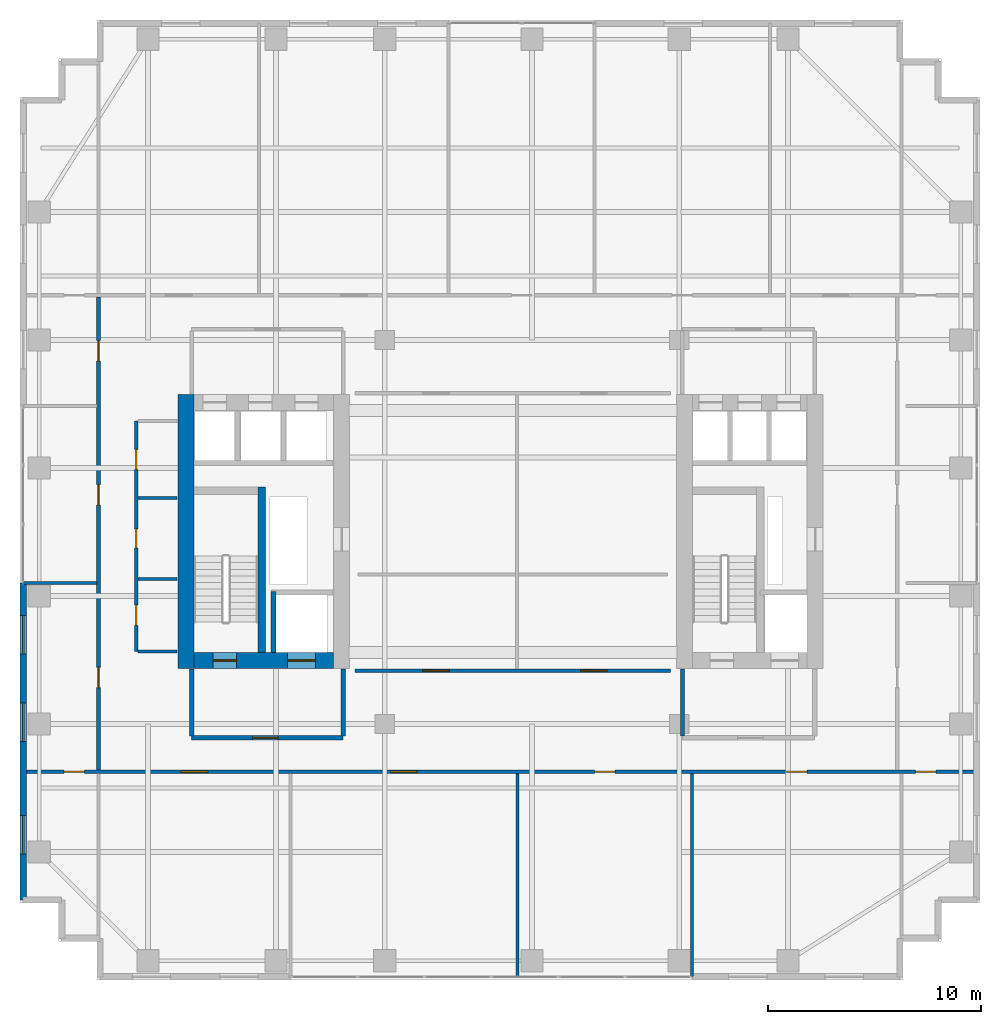
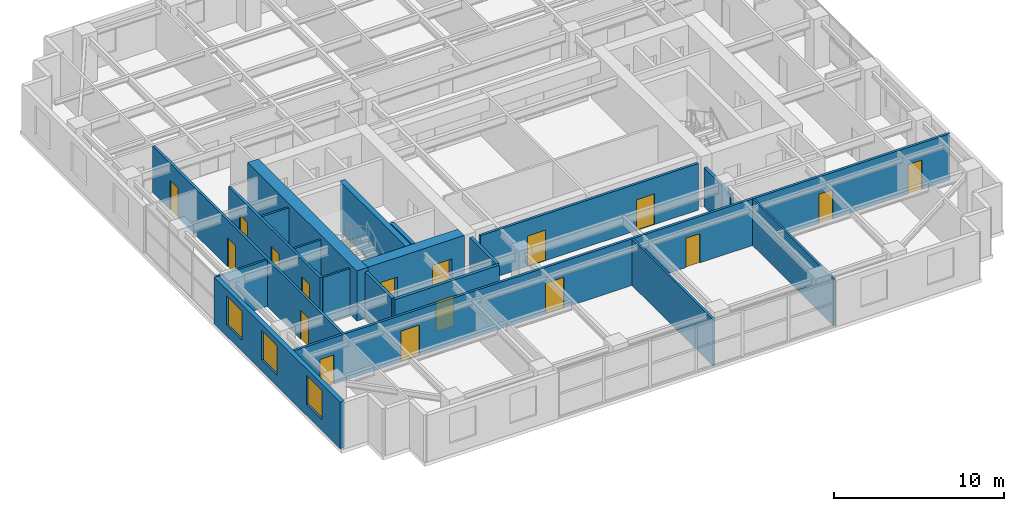
# One storey, part 14 of 18: 19 walls, 17 doors, 3 windows, 20 openings.
"""IFC4 building model written with IfcOpenShell, lengths in metres."""

from ifc_helpers import new_model, si_unit, direction, frame, frame_2d, origin, place, context, subcontext, project, spatial, rectangle, extrude, source, transform, mapped, material, layer, layer_set, type_object, element, fill, save


model = new_model("IFC4")

# Units and contexts
model_context = context("Model", 3, precision=1e-05, world=origin(), true_north=direction((0.0, 1.0)))
body_context = subcontext(model_context, "Body", "Model", "MODEL_VIEW")
ifc_project = project(units=[si_unit("LENGTHUNIT", "METRE"), si_unit("AREAUNIT", "SQUARE_METRE"), si_unit("VOLUMEUNIT", "CUBIC_METRE"), si_unit("PLANEANGLEUNIT", "RADIAN"), si_unit("MASSUNIT", "GRAM", prefix="KILO")], contexts=[model_context])

# Site, building, storey
site_placement = place(None, origin())
site = spatial("IfcSite", under=ifc_project, at=site_placement, CompositionType="ELEMENT")
building_placement = place(site_placement, origin())
building = spatial("IfcBuilding", under=site, at=building_placement, Name="Khoralis Quay Care Tower", CompositionType="ELEMENT")
storey_placement = place(building_placement, frame((0.0, 0.0, 130.5)))
storey = spatial("IfcBuildingStorey", under=building, at=storey_placement, Name="L34", CompositionType="ELEMENT", Elevation=130.5)

# Wall, opening, door
ifc_material_1 = material(Name="Gypsum plasterboard on acoustic metal stud")
ifc_layer_1 = layer(ifc_material_1, 0.199951171875)
ifc_layer_set_1 = layer_set([ifc_layer_1], Name="Gypsum plasterboard on acoustic metal stud")
wall_type_1 = type_object("IfcWallType", Name="WL-COMP-200", PredefinedType="PARTITIONING", material=ifc_layer_set_1)
wall_1_placement = place(storey_placement, frame((8.050048828125, 11.35009765625, 0.0), z_axis=(0.0, 0.0, 1.0), x_axis=(1.0, 0.0, 0.0)))
wall_1 = element("IfcWall", 1, at=wall_1_placement, inside=storey, type_object=wall_type_1, Name="L34 West Firefighting Lobby South Wall", PredefinedType="PARTITIONING", context=body_context, shape_type="SweptSolid", body=[
    extrude(rectangle(XDim=7.099853515625, YDim=0.199951171875, at=frame_2d((3.5498046875, 0.0))), origin(), (0.0, 0.0, 1.0), 3.340087890625),
])
opening_1_placement = place(wall_1_placement, frame((2.846435546875, 0.0, 0.0)))
opening_1 = element("IfcOpeningElement", 2, at=opening_1_placement, cuts=wall_1, Name="Opening FD1", PredefinedType="OPENING", context=body_context, shape_type="SweptSolid", body=[
    extrude(rectangle(XDim=1.199951171875, YDim=2.199951171875, at=frame_2d((0.60009765625, 1.10009765625))), frame((0.0, 0.10986328125, 0.0), z_axis=(0.0, -1.0, 0.0), x_axis=(1.0, 0.0, 0.0)), (0.0, 0.0, 1.0), 0.219970703125),
])
ifc_material_2 = material(Name="Fire-rated painted steel", Category="steel")
door_type_1 = type_object("IfcDoorType", Name="DR-FFL-1200X2200", OperationType="NOTDEFINED", PredefinedType="DOOR", material=ifc_material_2)
shared_shape_1 = source(origin(), body_context, "Body", "SweptSolid", [
    extrude(rectangle(XDim=1.199951171875, YDim=2.199951171875, at=frame_2d((0.60009765625, 1.10009765625))), frame((0.0, 0.02490234375, 0.0), z_axis=(0.0, -1.0, 0.0), x_axis=(1.0, 0.0, 0.0)), (0.0, 0.0, 1.0), 0.050048828125),
])
door_1_placement = place(opening_1_placement, origin())
door_1 = element("IfcDoor", 3, at=door_1_placement, inside=storey, type_object=door_type_1, Name="L34 West Firefighting Lobby Fire Door", OperationType="SINGLE_SWING_RIGHT", OverallHeight=2.199951171875, OverallWidth=1.199951171875, PredefinedType="DOOR", context=body_context, shape_type="MappedRepresentation", body=[
    mapped(shared_shape_1, transform((0.0, 0.0, 0.0), scale=1.0)),
])
fill(opening_1, door_1)

# Walls
for number, where, z_axis, x_axis, name in (
    (4, (8.050048828125, 11.445068359375, 0.0), (0.0, 0.0, 1.0), (0.0, 1.0, 0.0), "L34 West Firefighting Lobby West Wall"),
    (5, (15.14990234375, 11.445068359375, 0.0), (0.0, 0.0, 1.0), (0.0, 1.0, 0.0), "L34 West Firefighting Lobby East Wall"),
):
    element("IfcWall", number, at=place(storey_placement, frame(where, z_axis=z_axis, x_axis=x_axis)), inside=storey, type_object=wall_type_1, Name=name, PredefinedType="PARTITIONING", context=body_context, shape_type="SweptSolid", body=[
        extrude(rectangle(XDim=3.135009765625, YDim=0.199951171875, at=frame_2d((1.5673828125, 0.0))), origin(), (0.0, 0.0, 1.0), 3.340087890625),
    ])
wall_2_placement = place(storey_placement, frame((31.050048828125, 11.445068359375, 0.0), z_axis=(0.0, 0.0, 1.0), x_axis=(0.0, 1.0, 0.0)))
element("IfcWall", 6, at=wall_2_placement, inside=storey, type_object=wall_type_1, Name="L34 East Firefighting Lobby West Wall", PredefinedType="PARTITIONING", context=body_context, shape_type="SweptSolid", body=[
    extrude(rectangle(XDim=3.135009765625, YDim=0.199951171875, at=frame_2d((1.5673828125, 0.0))), origin(), (0.0, 0.0, 1.0), 2.7958984375),
])
ifc_material_3 = material(Name="Concrete C80/95", Category="concrete")
ifc_layer_2 = layer(ifc_material_3, 0.75)
ifc_layer_set_2 = layer_set([ifc_layer_2], Name="Concrete C80/95")
wall_type_2 = type_object("IfcWallType", Name="WL-CORE-750", PredefinedType="SHEAR", material=ifc_layer_set_2)
wall_3_placement = place(storey_placement, frame((7.77490234375, 14.60009765625, 0.0), z_axis=(0.0, 0.0, 1.0), x_axis=(0.0, 1.0, 0.0)))
element("IfcWall", 7, at=wall_3_placement, inside=storey, type_object=wall_type_2, Name="L34 WCORE West Shear Wall", PredefinedType="SHEAR", context=body_context, shape_type="SweptSolid", body=[
    extrude(rectangle(XDim=12.849853515625, YDim=0.75, at=frame_2d((6.4248046875, 0.0))), origin(), (0.0, 0.0, 1.0), 3.60009765625),
])

# Wall, openings, doors
wall_4_placement = place(storey_placement, frame((8.14990234375, 14.97509765625, 0.0), z_axis=(0.0, 0.0, 1.0), x_axis=(1.0, 0.0, 0.0)))
wall_4 = element("IfcWall", 8, at=wall_4_placement, inside=storey, type_object=wall_type_2, Name="L34 WCORE South Shear Wall", PredefinedType="SHEAR", context=body_context, shape_type="SweptSolid", body=[
    extrude(rectangle(XDim=6.550048828125, YDim=0.75, at=frame_2d((3.27490234375, 0.0))), origin(), (0.0, 0.0, 1.0), 3.60009765625),
])
opening_2_placement = place(wall_4_placement, frame((0.89990234375, 0.0, 0.0)))
opening_2 = element("IfcOpeningElement", 9, at=opening_2_placement, cuts=wall_4, Name="Opening SD1", PredefinedType="OPENING", context=body_context, shape_type="SweptSolid", body=[
    extrude(rectangle(XDim=1.10009765625, YDim=2.199951171875, at=frame_2d((0.550048828125, 1.10009765625))), frame((0.0, 0.385009765625, 0.0), z_axis=(0.0, -1.0, 0.0), x_axis=(1.0, 0.0, 0.0)), (0.0, 0.0, 1.0), 0.77001953125),
])
opening_3_placement = place(wall_4_placement, frame((4.39990234375, 0.0, 0.0)))
opening_3 = element("IfcOpeningElement", 10, at=opening_3_placement, cuts=wall_4, Name="Opening LD2", PredefinedType="OPENING", context=body_context, shape_type="SweptSolid", body=[
    extrude(rectangle(XDim=1.300048828125, YDim=2.199951171875, at=frame_2d((0.64990234375, 1.10009765625))), frame((0.0, 0.385009765625, 0.0), z_axis=(0.0, -1.0, 0.0), x_axis=(1.0, 0.0, 0.0)), (0.0, 0.0, 1.0), 0.77001953125),
])
door_type_2 = type_object("IfcDoorType", Name="DR-STAIR-1100X2200", OperationType="NOTDEFINED", PredefinedType="DOOR", material=ifc_material_2)
shared_shape_2 = source(origin(), body_context, "Body", "SweptSolid", [
    extrude(rectangle(XDim=1.10009765625, YDim=2.199951171875, at=frame_2d((0.550048828125, 1.10009765625))), frame((0.0, 0.02490234375, 0.0), z_axis=(0.0, -1.0, 0.0), x_axis=(1.0, 0.0, 0.0)), (0.0, 0.0, 1.0), 0.050048828125),
])
door_2_placement = place(opening_2_placement, origin())
door_2 = element("IfcDoor", 11, at=door_2_placement, inside=storey, type_object=door_type_2, Name="L34 Stair ST-T1 Fire Door", OperationType="SINGLE_SWING_RIGHT", OverallHeight=2.199951171875, OverallWidth=1.10009765625, PredefinedType="DOOR", context=body_context, shape_type="MappedRepresentation", body=[
    mapped(shared_shape_2, transform((0.0, 0.0, 0.0), scale=1.0)),
])
fill(opening_2, door_2)
ifc_material_4 = material(Name="Brushed stainless steel", Category="steel")
door_type_3 = type_object("IfcDoorType", Name="DR-LIFT-1300X2200", OperationType="SLIDING_TO_RIGHT", PredefinedType="DOOR", material=ifc_material_4)
shared_shape_3 = source(origin(), body_context, "Body", "SweptSolid", [
    extrude(rectangle(XDim=1.300048828125, YDim=2.199951171875, at=frame_2d((0.64990234375, 1.10009765625))), frame((0.0, 0.02490234375, 0.0), z_axis=(0.0, -1.0, 0.0), x_axis=(1.0, 0.0, 0.0)), (0.0, 0.0, 1.0), 0.050048828125),
])
door_3_placement = place(opening_3_placement, origin())
door_3 = element("IfcDoor", 12, at=door_3_placement, inside=storey, type_object=door_type_3, Name="L34 Firefighting Lift FFL-1 Landing Door", OperationType="SLIDING_TO_RIGHT", OverallHeight=2.199951171875, OverallWidth=1.300048828125, PredefinedType="DOOR", context=body_context, shape_type="MappedRepresentation", body=[
    mapped(shared_shape_3, transform((0.0, 0.0, 0.0), scale=1.0)),
])
fill(opening_3, door_3)

ifc_layer_3 = layer(ifc_material_1, 0.1650390625)
ifc_layer_set_3 = layer_set([ifc_layer_3], Name="Gypsum plasterboard on acoustic metal stud")
wall_type_3 = type_object("IfcWallType", Name="WL-CORR-165", PredefinedType="PARTITIONING", material=ifc_layer_set_3)
wall_5_placement = place(storey_placement, frame((5.449951171875, 15.39990234375, 0.0), z_axis=(0.0, 0.0, 1.0), x_axis=(0.0, 1.0, 0.0)))
wall_5 = element("IfcWall", 13, at=wall_5_placement, inside=storey, type_object=wall_type_3, Name="L34 West Core Service Flank Wall", PredefinedType="PARTITIONING", context=body_context, shape_type="SweptSolid", body=[
    extrude(rectangle(XDim=10.800048828125, YDim=0.1650390625, at=frame_2d((5.39990234375, 0.0))), origin(), (0.0, 0.0, 1.0), 3.340087890625),
])
opening_4_placement = place(wall_5_placement, frame((1.22509765625, 0.0, 0.0)))
opening_4 = element("IfcOpeningElement", 14, at=opening_4_placement, cuts=wall_5, Name="Opening ID1", PredefinedType="OPENING", context=body_context, shape_type="SweptSolid", body=[
    extrude(rectangle(XDim=0.949951171875, YDim=2.10009765625, at=frame_2d((0.47509765625, 1.050048828125))), frame((0.0, 0.092529296875, 0.0), z_axis=(0.0, -1.0, 0.0), x_axis=(1.0, 0.0, 0.0)), (0.0, 0.0, 1.0), 0.18505859375),
])
opening_5_placement = place(wall_5_placement, frame((4.85009765625, 0.0, 0.0)))
opening_5 = element("IfcOpeningElement", 15, at=opening_5_placement, cuts=wall_5, Name="Opening WD1", PredefinedType="OPENING", context=body_context, shape_type="SweptSolid", body=[
    extrude(rectangle(XDim=0.89990234375, YDim=2.10009765625, at=frame_2d((0.449951171875, 1.050048828125))), frame((0.0, 0.092529296875, 0.0), z_axis=(0.0, -1.0, 0.0), x_axis=(1.0, 0.0, 0.0)), (0.0, 0.0, 1.0), 0.18505859375),
])
opening_6_placement = place(wall_5_placement, frame((8.52490234375, 0.0, 0.0)))
opening_6 = element("IfcOpeningElement", 16, at=opening_6_placement, cuts=wall_5, Name="Opening ID1", PredefinedType="OPENING", context=body_context, shape_type="SweptSolid", body=[
    extrude(rectangle(XDim=0.949951171875, YDim=2.10009765625, at=frame_2d((0.47509765625, 1.050048828125))), frame((0.0, 0.092529296875, 0.0), z_axis=(0.0, -1.0, 0.0), x_axis=(1.0, 0.0, 0.0)), (0.0, 0.0, 1.0), 0.18505859375),
])
ifc_material_5 = material(Name="Acoustic hardwood timber", Category="wood")
door_type_4 = type_object("IfcDoorType", Name="DR-BATH-900X2100", OperationType="NOTDEFINED", PredefinedType="DOOR", material=ifc_material_5)
shared_shape_4 = source(origin(), body_context, "Body", "SweptSolid", [
    extrude(rectangle(XDim=0.89990234375, YDim=2.10009765625, at=frame_2d((0.449951171875, 1.050048828125))), frame((0.0, 0.02490234375, 0.0), z_axis=(0.0, -1.0, 0.0), x_axis=(1.0, 0.0, 0.0)), (0.0, 0.0, 1.0), 0.050048828125),
])
door_4_placement = place(opening_5_placement, frame((0.89990234375, 0.0, 0.0), z_axis=(0.0, 0.0, 1.0), x_axis=(-1.0, 0.0, 0.0)))
door_4 = element("IfcDoor", 17, at=door_4_placement, inside=storey, type_object=door_type_4, Name="L34 Public Accessible WC Door", OperationType="SINGLE_SWING_RIGHT", OverallHeight=2.10009765625, OverallWidth=0.89990234375, PredefinedType="DOOR", context=body_context, shape_type="MappedRepresentation", body=[
    mapped(shared_shape_4, transform((0.0, 0.0, 0.0), scale=1.0)),
])
fill(opening_5, door_4)
door_type_5 = type_object("IfcDoorType", Name="DR-ROOM-950X2100", OperationType="NOTDEFINED", PredefinedType="DOOR", material=ifc_material_5)
shared_shape_5 = source(origin(), body_context, "Body", "SweptSolid", [
    extrude(rectangle(XDim=0.949951171875, YDim=2.10009765625, at=frame_2d((0.47509765625, 1.050048828125))), frame((0.0, 0.02490234375, 0.0), z_axis=(0.0, -1.0, 0.0), x_axis=(1.0, 0.0, 0.0)), (0.0, 0.0, 1.0), 0.050048828125),
])
door_5_placement = place(opening_4_placement, frame((0.949951171875, 0.0, 0.0), z_axis=(0.0, 0.0, 1.0), x_axis=(-1.0, 0.0, 0.0)))
door_5 = element("IfcDoor", 18, at=door_5_placement, inside=storey, type_object=door_type_5, Name="L34 Clean Utility Store Door", OperationType="SINGLE_SWING_LEFT", OverallHeight=2.10009765625, OverallWidth=0.949951171875, PredefinedType="DOOR", context=body_context, shape_type="MappedRepresentation", body=[
    mapped(shared_shape_5, transform((0.0, 0.0, 0.0), scale=1.0)),
])
fill(opening_4, door_5)
door_6_placement = place(opening_6_placement, frame((0.949951171875, 0.0, 0.0), z_axis=(0.0, 0.0, 1.0), x_axis=(-1.0, 0.0, 0.0)))
door_6 = element("IfcDoor", 19, at=door_6_placement, inside=storey, type_object=door_type_5, Name="L34 Electrical Switchboard Room Door", OperationType="SINGLE_SWING_LEFT", OverallHeight=2.10009765625, OverallWidth=0.949951171875, PredefinedType="DOOR", context=body_context, shape_type="MappedRepresentation", body=[
    mapped(shared_shape_5, transform((0.0, 0.0, 0.0), scale=1.0)),
])
fill(opening_6, door_6)

wall_6_placement = place(storey_placement, frame((0.14501953125, 9.760009765625, 0.0), z_axis=(0.0, 0.0, 1.0), x_axis=(1.0, 0.0, 0.0)))
wall_6 = element("IfcWall", 20, at=wall_6_placement, inside=storey, type_object=wall_type_3, Name="L34 South Main Corridor Wall", PredefinedType="PARTITIONING", context=body_context, shape_type="SweptSolid", body=[
    extrude(rectangle(XDim=44.7099609375, YDim=0.1650390625, at=frame_2d((22.35498046875, 0.0))), origin(), (0.0, 0.0, 1.0), 3.340087890625),
])
opening_7_placement = place(wall_6_placement, frame((7.409912109375, 0.0, 0.0)))
opening_7 = element("IfcOpeningElement", 21, at=opening_7_placement, cuts=wall_6, Name="Opening CD1", PredefinedType="OPENING", context=body_context, shape_type="SweptSolid", body=[
    extrude(rectangle(XDim=1.25, YDim=2.199951171875, at=frame_2d((0.625, 1.10009765625))), frame((0.0, 0.092529296875, 0.0), z_axis=(0.0, -1.0, 0.0), x_axis=(1.0, 0.0, 0.0)), (0.0, 0.0, 1.0), 0.18505859375),
])
opening_8_placement = place(wall_6_placement, frame((17.22509765625, 0.0, 0.0)))
opening_8 = element("IfcOpeningElement", 22, at=opening_8_placement, cuts=wall_6, Name="Opening CD1", PredefinedType="OPENING", context=body_context, shape_type="SweptSolid", body=[
    extrude(rectangle(XDim=1.25, YDim=2.199951171875, at=frame_2d((0.625, 1.10009765625))), frame((0.0, 0.092529296875, 0.0), z_axis=(0.0, -1.0, 0.0), x_axis=(1.0, 0.0, 0.0)), (0.0, 0.0, 1.0), 0.18505859375),
])
opening_9_placement = place(wall_6_placement, frame((26.784912109375, 0.0, 0.0)))
opening_9 = element("IfcOpeningElement", 23, at=opening_9_placement, cuts=wall_6, Name="Opening ID1", PredefinedType="OPENING", context=body_context, shape_type="SweptSolid", body=[
    extrude(rectangle(XDim=0.949951171875, YDim=2.10009765625, at=frame_2d((0.47509765625, 1.050048828125))), frame((0.0, 0.092529296875, 0.0), z_axis=(0.0, -1.0, 0.0), x_axis=(1.0, 0.0, 0.0)), (0.0, 0.0, 1.0), 0.18505859375),
])
opening_10_placement = place(wall_6_placement, frame((35.7900390625, 0.0, 0.0)))
opening_10 = element("IfcOpeningElement", 24, at=opening_10_placement, cuts=wall_6, Name="Opening ID1", PredefinedType="OPENING", context=body_context, shape_type="SweptSolid", body=[
    extrude(rectangle(XDim=0.949951171875, YDim=2.10009765625, at=frame_2d((0.47509765625, 1.050048828125))), frame((0.0, 0.092529296875, 0.0), z_axis=(0.0, -1.0, 0.0), x_axis=(1.0, 0.0, 0.0)), (0.0, 0.0, 1.0), 0.18505859375),
])
opening_11_placement = place(wall_6_placement, frame((1.919921875, 0.0, 0.0)))
opening_11 = element("IfcOpeningElement", 25, at=opening_11_placement, cuts=wall_6, Name="Opening ID1", PredefinedType="OPENING", context=body_context, shape_type="SweptSolid", body=[
    extrude(rectangle(XDim=0.949951171875, YDim=2.10009765625, at=frame_2d((0.47509765625, 1.050048828125))), frame((0.0, 0.092529296875, 0.0), z_axis=(0.0, -1.0, 0.0), x_axis=(1.0, 0.0, 0.0)), (0.0, 0.0, 1.0), 0.18505859375),
])
opening_12_placement = place(wall_6_placement, frame((41.840087890625, 0.0, 0.0)))
opening_12 = element("IfcOpeningElement", 26, at=opening_12_placement, cuts=wall_6, Name="Opening ID1", PredefinedType="OPENING", context=body_context, shape_type="SweptSolid", body=[
    extrude(rectangle(XDim=0.949951171875, YDim=2.10009765625, at=frame_2d((0.47509765625, 1.050048828125))), frame((0.0, 0.092529296875, 0.0), z_axis=(0.0, -1.0, 0.0), x_axis=(1.0, 0.0, 0.0)), (0.0, 0.0, 1.0), 0.18505859375),
])
door_type_6 = type_object("IfcDoorType", Name="DR-CARE-1250X2200", OperationType="NOTDEFINED", PredefinedType="DOOR", material=ifc_material_5)
shared_shape_6 = source(origin(), body_context, "Body", "SweptSolid", [
    extrude(rectangle(XDim=1.25, YDim=2.199951171875, at=frame_2d((0.625, 1.10009765625))), frame((0.0, 0.02490234375, 0.0), z_axis=(0.0, -1.0, 0.0), x_axis=(1.0, 0.0, 0.0)), (0.0, 0.0, 1.0), 0.050048828125),
])
door_7_placement = place(opening_7_placement, frame((1.25, 0.0, 0.0), z_axis=(0.0, 0.0, 1.0), x_axis=(-1.0, 0.0, 0.0)))
door_7 = element("IfcDoor", 27, at=door_7_placement, inside=storey, type_object=door_type_6, Name="L34 Geriatric Consultation Clinic Door", OperationType="SINGLE_SWING_RIGHT", OverallHeight=2.199951171875, OverallWidth=1.25, PredefinedType="DOOR", context=body_context, shape_type="MappedRepresentation", body=[
    mapped(shared_shape_6, transform((0.0, 0.0, 0.0), scale=1.0)),
])
fill(opening_7, door_7)
door_8_placement = place(opening_8_placement, frame((1.25, 0.0, 0.0), z_axis=(0.0, 0.0, 1.0), x_axis=(-1.0, 0.0, 0.0)))
door_8 = element("IfcDoor", 28, at=door_8_placement, inside=storey, type_object=door_type_6, Name="L34 Physiotherapy Treatment Clinic Door", OperationType="SINGLE_SWING_LEFT", OverallHeight=2.199951171875, OverallWidth=1.25, PredefinedType="DOOR", context=body_context, shape_type="MappedRepresentation", body=[
    mapped(shared_shape_6, transform((0.0, 0.0, 0.0), scale=1.0)),
])
fill(opening_8, door_8)
door_9_placement = place(opening_9_placement, frame((0.949951171875, 0.0, 0.0), z_axis=(0.0, 0.0, 1.0), x_axis=(-1.0, 0.0, 0.0)))
door_9 = element("IfcDoor", 29, at=door_9_placement, inside=storey, type_object=door_type_5, Name="L34 Care Coordination Office Door", OperationType="SINGLE_SWING_LEFT", OverallHeight=2.10009765625, OverallWidth=0.949951171875, PredefinedType="DOOR", context=body_context, shape_type="MappedRepresentation", body=[
    mapped(shared_shape_5, transform((0.0, 0.0, 0.0), scale=1.0)),
])
fill(opening_9, door_9)
door_10_placement = place(opening_10_placement, frame((0.949951171875, 0.0, 0.0), z_axis=(0.0, 0.0, 1.0), x_axis=(-1.0, 0.0, 0.0)))
door_10 = element("IfcDoor", 30, at=door_10_placement, inside=storey, type_object=door_type_5, Name="L34 Family Case Conference Room Door", OperationType="SINGLE_SWING_RIGHT", OverallHeight=2.10009765625, OverallWidth=0.949951171875, PredefinedType="DOOR", context=body_context, shape_type="MappedRepresentation", body=[
    mapped(shared_shape_5, transform((0.0, 0.0, 0.0), scale=1.0)),
])
fill(opening_10, door_10)
door_11_placement = place(opening_11_placement, frame((0.949951171875, 0.0, 0.0), z_axis=(0.0, 0.0, 1.0), x_axis=(-1.0, 0.0, 0.0)))
door_11 = element("IfcDoor", 31, at=door_11_placement, inside=storey, type_object=door_type_5, Name="L34 SW Corner Door", OperationType="SINGLE_SWING_LEFT", OverallHeight=2.10009765625, OverallWidth=0.949951171875, PredefinedType="DOOR", context=body_context, shape_type="MappedRepresentation", body=[
    mapped(shared_shape_5, transform((0.0, 0.0, 0.0), scale=1.0)),
])
fill(opening_11, door_11)
door_12_placement = place(opening_12_placement, frame((0.949951171875, 0.0, 0.0), z_axis=(0.0, 0.0, 1.0), x_axis=(-1.0, 0.0, 0.0)))
door_12 = element("IfcDoor", 32, at=door_12_placement, inside=storey, type_object=door_type_5, Name="L34 SE Corner Door", OperationType="SINGLE_SWING_RIGHT", OverallHeight=2.10009765625, OverallWidth=0.949951171875, PredefinedType="DOOR", context=body_context, shape_type="MappedRepresentation", body=[
    mapped(shared_shape_5, transform((0.0, 0.0, 0.0), scale=1.0)),
])
fill(opening_12, door_12)

wall_7_placement = place(storey_placement, frame((3.679931640625, 9.83740234375, 0.0), z_axis=(0.0, 0.0, 1.0), x_axis=(0.0, 1.0, 0.0)))
wall_7 = element("IfcWall", 33, at=wall_7_placement, inside=storey, type_object=wall_type_3, Name="L34 West Loop Corridor Wall", PredefinedType="PARTITIONING", context=body_context, shape_type="SweptSolid", body=[
    extrude(rectangle(XDim=22.18505859375, YDim=0.1650390625, at=frame_2d((11.092529296875, 0.0))), origin(), (0.0, 0.0, 1.0), 3.340087890625),
])
opening_13_placement = place(wall_7_placement, frame((3.867431640625, 0.0, 0.0)))
opening_13 = element("IfcOpeningElement", 34, at=opening_13_placement, cuts=wall_7, Name="Opening ID1", PredefinedType="OPENING", context=body_context, shape_type="SweptSolid", body=[
    extrude(rectangle(XDim=0.949951171875, YDim=2.10009765625, at=frame_2d((0.47509765625, 1.050048828125))), frame((0.0, 0.092529296875, 0.0), z_axis=(0.0, -1.0, 0.0), x_axis=(1.0, 0.0, 0.0)), (0.0, 0.0, 1.0), 0.18505859375),
])
opening_14_placement = place(wall_7_placement, frame((12.4375, 0.0, 0.0)))
opening_14 = element("IfcOpeningElement", 35, at=opening_14_placement, cuts=wall_7, Name="Opening ID1", PredefinedType="OPENING", context=body_context, shape_type="SweptSolid", body=[
    extrude(rectangle(XDim=0.949951171875, YDim=2.10009765625, at=frame_2d((0.47509765625, 1.050048828125))), frame((0.0, 0.092529296875, 0.0), z_axis=(0.0, -1.0, 0.0), x_axis=(1.0, 0.0, 0.0)), (0.0, 0.0, 1.0), 0.18505859375),
])
opening_15_placement = place(wall_7_placement, frame((19.1875, 0.0, 0.0)))
opening_15 = element("IfcOpeningElement", 36, at=opening_15_placement, cuts=wall_7, Name="Opening ID1", PredefinedType="OPENING", context=body_context, shape_type="SweptSolid", body=[
    extrude(rectangle(XDim=0.949951171875, YDim=2.10009765625, at=frame_2d((0.47509765625, 1.050048828125))), frame((0.0, 0.092529296875, 0.0), z_axis=(0.0, -1.0, 0.0), x_axis=(1.0, 0.0, 0.0)), (0.0, 0.0, 1.0), 0.18505859375),
])
door_13_placement = place(opening_13_placement, origin())
door_13 = element("IfcDoor", 37, at=door_13_placement, inside=storey, type_object=door_type_5, Name="L34 Therapy Consultation Room Door", OperationType="SINGLE_SWING_LEFT", OverallHeight=2.10009765625, OverallWidth=0.949951171875, PredefinedType="DOOR", context=body_context, shape_type="MappedRepresentation", body=[
    mapped(shared_shape_5, transform((0.0, 0.0, 0.0), scale=1.0)),
])
fill(opening_13, door_13)
door_14_placement = place(opening_14_placement, origin())
door_14 = element("IfcDoor", 38, at=door_14_placement, inside=storey, type_object=door_type_5, Name="L34 Assisted Activity Lounge Door", OperationType="SINGLE_SWING_RIGHT", OverallHeight=2.10009765625, OverallWidth=0.949951171875, PredefinedType="DOOR", context=body_context, shape_type="MappedRepresentation", body=[
    mapped(shared_shape_5, transform((0.0, 0.0, 0.0), scale=1.0)),
])
fill(opening_14, door_14)
door_15_placement = place(opening_15_placement, origin())
door_15 = element("IfcDoor", 39, at=door_15_placement, inside=storey, type_object=door_type_5, Name="L34 Nurse Charting Office Door", OperationType="SINGLE_SWING_LEFT", OverallHeight=2.10009765625, OverallWidth=0.949951171875, PredefinedType="DOOR", context=body_context, shape_type="MappedRepresentation", body=[
    mapped(shared_shape_5, transform((0.0, 0.0, 0.0), scale=1.0)),
])
fill(opening_15, door_15)

wall_8_placement = place(storey_placement, frame((15.699951171875, 14.5, 0.0), z_axis=(0.0, 0.0, 1.0), x_axis=(1.0, 0.0, 0.0)))
wall_8 = element("IfcWall", 40, at=wall_8_placement, inside=storey, type_object=wall_type_3, Name="L34 Central Clinical South Wall", PredefinedType="PARTITIONING", context=body_context, shape_type="SweptSolid", body=[
    extrude(rectangle(XDim=14.800048828125, YDim=0.1650390625, at=frame_2d((7.39990234375, 0.0))), origin(), (0.0, 0.0, 1.0), 3.340087890625),
])
opening_16_placement = place(wall_8_placement, frame((3.175048828125, 0.0, 0.0)))
opening_16 = element("IfcOpeningElement", 41, at=opening_16_placement, cuts=wall_8, Name="Opening CD1", PredefinedType="OPENING", context=body_context, shape_type="SweptSolid", body=[
    extrude(rectangle(XDim=1.25, YDim=2.199951171875, at=frame_2d((0.625, 1.10009765625))), frame((0.0, 0.092529296875, 0.0), z_axis=(0.0, -1.0, 0.0), x_axis=(1.0, 0.0, 0.0)), (0.0, 0.0, 1.0), 0.18505859375),
])
opening_17_placement = place(wall_8_placement, frame((10.574951171875, 0.0, 0.0)))
opening_17 = element("IfcOpeningElement", 42, at=opening_17_placement, cuts=wall_8, Name="Opening CD1", PredefinedType="OPENING", context=body_context, shape_type="SweptSolid", body=[
    extrude(rectangle(XDim=1.25, YDim=2.199951171875, at=frame_2d((0.625, 1.10009765625))), frame((0.0, 0.092529296875, 0.0), z_axis=(0.0, -1.0, 0.0), x_axis=(1.0, 0.0, 0.0)), (0.0, 0.0, 1.0), 0.18505859375),
])
door_16_placement = place(opening_16_placement, origin())
door_16 = element("IfcDoor", 43, at=door_16_placement, inside=storey, type_object=door_type_6, Name="L34 Nurse Station Door", OperationType="SINGLE_SWING_LEFT", OverallHeight=2.199951171875, OverallWidth=1.25, PredefinedType="DOOR", context=body_context, shape_type="MappedRepresentation", body=[
    mapped(shared_shape_6, transform((0.0, 0.0, 0.0), scale=1.0)),
])
fill(opening_16, door_16)
door_17_placement = place(opening_17_placement, origin())
door_17 = element("IfcDoor", 44, at=door_17_placement, inside=storey, type_object=door_type_6, Name="L34 Treatment Clinic Door", OperationType="SINGLE_SWING_RIGHT", OverallHeight=2.199951171875, OverallWidth=1.25, PredefinedType="DOOR", context=body_context, shape_type="MappedRepresentation", body=[
    mapped(shared_shape_6, transform((0.0, 0.0, 0.0), scale=1.0)),
])
fill(opening_17, door_17)

# Wall, openings, windows
ifc_material_6 = material(Name="Precast concrete C45/55", Category="concrete")
ifc_layer_4 = layer(ifc_material_6, 0.300048828125)
ifc_layer_set_4 = layer_set([ifc_layer_4], Name="Precast concrete C45/55")
wall_type_4 = type_object("IfcWallType", Name="WL-EXT-REF-300", PredefinedType="SOLIDWALL", material=ifc_layer_set_4)
wall_9_placement = place(storey_placement, frame((0.14990234375, 18.60009765625, 0.0), z_axis=(0.0, 0.0, 1.0), x_axis=(0.0, -1.0, 0.0)))
wall_9 = element("IfcWall", 45, at=wall_9_placement, inside=storey, type_object=wall_type_4, Name="L34 External Facade Wall WL-EXT-L34-P1-E15B", PredefinedType="SOLIDWALL", context=body_context, shape_type="SweptSolid", body=[
    extrude(rectangle(XDim=14.85009765625, YDim=0.300048828125, at=frame_2d((7.425048828125, 0.0))), origin(), (0.0, 0.0, 1.0), 3.340087890625),
])
opening_18_placement = place(wall_9_placement, frame((1.514892578125, 0.0, 0.800048828125)))
opening_18 = element("IfcOpeningElement", 46, at=opening_18_placement, cuts=wall_9, Name="Opening W2", PredefinedType="OPENING", context=body_context, shape_type="SweptSolid", body=[
    extrude(rectangle(XDim=1.800048828125, YDim=2.10009765625, at=frame_2d((0.89990234375, 1.050048828125))), frame((0.0, 0.16015625, 0.0), z_axis=(0.0, -1.0, 0.0), x_axis=(1.0, 0.0, 0.0)), (0.0, 0.0, 1.0), 0.320068359375),
])
opening_19_placement = place(wall_9_placement, frame((5.625, 0.0, 0.800048828125)))
opening_19 = element("IfcOpeningElement", 47, at=opening_19_placement, cuts=wall_9, Name="Opening W2", PredefinedType="OPENING", context=body_context, shape_type="SweptSolid", body=[
    extrude(rectangle(XDim=1.800048828125, YDim=2.10009765625, at=frame_2d((0.89990234375, 1.050048828125))), frame((0.0, 0.16015625, 0.0), z_axis=(0.0, -1.0, 0.0), x_axis=(1.0, 0.0, 0.0)), (0.0, 0.0, 1.0), 0.320068359375),
])
opening_20_placement = place(wall_9_placement, frame((10.89501953125, 0.0, 0.800048828125)))
opening_20 = element("IfcOpeningElement", 48, at=opening_20_placement, cuts=wall_9, Name="Opening W2", PredefinedType="OPENING", context=body_context, shape_type="SweptSolid", body=[
    extrude(rectangle(XDim=1.800048828125, YDim=2.10009765625, at=frame_2d((0.89990234375, 1.050048828125))), frame((0.0, 0.16015625, 0.0), z_axis=(0.0, -1.0, 0.0), x_axis=(1.0, 0.0, 0.0)), (0.0, 0.0, 1.0), 0.320068359375),
])
ifc_material_7 = material(Name="Low-E solar-control double glazing", Category="glass")
window_type = type_object("IfcWindowType", Name="WN-POD-1800X2100", PartitioningType="SINGLE_PANEL", PredefinedType="WINDOW", material=ifc_material_7)
shared_shape_7 = source(origin(), body_context, "Body", "SweptSolid", [
    extrude(rectangle(XDim=1.800048828125, YDim=2.10009765625, at=frame_2d((0.89990234375, 1.050048828125))), frame((0.0, 0.030029296875, 0.0), z_axis=(0.0, -1.0, 0.0), x_axis=(1.0, 0.0, 0.0)), (0.0, 0.0, 1.0), 0.06005859375),
])
window_1_placement = place(opening_18_placement, origin())
window_1 = element("IfcWindow", 49, at=window_1_placement, inside=storey, type_object=window_type, Name="WN-L34-P1-E15B Facade Window 01", OverallHeight=2.10009765625, OverallWidth=1.800048828125, PartitioningType="SINGLE_PANEL", PredefinedType="WINDOW", context=body_context, shape_type="MappedRepresentation", body=[
    mapped(shared_shape_7, transform((0.0, 0.0, 0.0), scale=1.0)),
])
fill(opening_18, window_1)
window_2_placement = place(opening_19_placement, origin())
window_2 = element("IfcWindow", 50, at=window_2_placement, inside=storey, type_object=window_type, Name="WN-L34-P1-E15B Facade Window 02", OverallHeight=2.10009765625, OverallWidth=1.800048828125, PartitioningType="SINGLE_PANEL", PredefinedType="WINDOW", context=body_context, shape_type="MappedRepresentation", body=[
    mapped(shared_shape_7, transform((0.0, 0.0, 0.0), scale=1.0)),
])
fill(opening_19, window_2)
window_3_placement = place(opening_20_placement, origin())
window_3 = element("IfcWindow", 51, at=window_3_placement, inside=storey, type_object=window_type, Name="WN-L34-P1-E15B Facade Window 03", OverallHeight=2.10009765625, OverallWidth=1.800048828125, PartitioningType="SINGLE_PANEL", PredefinedType="WINDOW", context=body_context, shape_type="MappedRepresentation", body=[
    mapped(shared_shape_7, transform((0.0, 0.0, 0.0), scale=1.0)),
])
fill(opening_20, window_3)

# Walls
ifc_material_8 = material(Name="Moisture-resistant gypsum and ceramic tile")
ifc_layer_5 = layer(ifc_material_8, 0.280029296875)
ifc_layer_set_5 = layer_set([ifc_layer_5], Name="Moisture-resistant gypsum and ceramic tile")
wall_type_5 = type_object("IfcWallType", Name="WL-PLUMB-280", PredefinedType="PLUMBINGWALL", material=ifc_layer_set_5)
wall_10_placement = place(storey_placement, frame((5.527587890625, 18.800048828125, 0.0), z_axis=(0.0, 0.0, 1.0), x_axis=(1.0, 0.0, 0.0)))
element("IfcWall", 52, at=wall_10_placement, inside=storey, type_object=wall_type_5, Name="L34 West Flank Divider 1", PredefinedType="PLUMBINGWALL", context=body_context, shape_type="SweptSolid", body=[
    extrude(rectangle(XDim=1.83251953125, YDim=0.139892578125, at=frame_2d((0.916259765625, 0.0))), origin(), (0.0, 0.0, 1.0), 3.340087890625),
])
ifc_material_9 = material(Name="Concrete C40/50", Category="concrete")
ifc_layer_6 = layer(ifc_material_9, 0.35009765625)
ifc_layer_set_6 = layer_set([ifc_layer_6], Name="Concrete C40/50")
wall_type_6 = type_object("IfcWallType", Name="WL-SC-CORE-350", PredefinedType="SHEAR", material=ifc_layer_set_6)
wall_11_placement = place(storey_placement, frame((11.324951171875, 15.35009765625, 0.0), z_axis=(0.0, 0.0, 1.0), x_axis=(0.0, 1.0, 0.0)))
element("IfcWall", 53, at=wall_11_placement, inside=storey, type_object=wall_type_6, Name="L34 Stair ST-T1 Shear Baffle Wall East", PredefinedType="SHEAR", context=body_context, shape_type="SweptSolid", body=[
    extrude(rectangle(XDim=7.75, YDim=0.35009765625, at=frame_2d((3.875, 0.0))), origin(), (0.0, 0.0, 1.0), 3.60009765625),
])
ifc_layer_7 = layer(ifc_material_1, 0.239990234375)
ifc_layer_set_7 = layer_set([ifc_layer_7], Name="Gypsum plasterboard on acoustic metal stud")
wall_type_7 = type_object("IfcWallType", Name="WL-SHAFT-240", PredefinedType="PARTITIONING", material=ifc_layer_set_7)
wall_12_placement = place(storey_placement, frame((11.8798828125, 15.35009765625, 0.0), z_axis=(0.0, 0.0, 1.0), x_axis=(0.0, 1.0, 0.0)))
element("IfcWall", 54, at=wall_12_placement, inside=storey, type_object=wall_type_7, Name="L34 FFL-1 Shaft Wall West", PredefinedType="PARTITIONING", context=body_context, shape_type="SweptSolid", body=[
    extrude(rectangle(XDim=2.849853515625, YDim=0.239990234375, at=frame_2d((1.4248046875, 0.0))), origin(), (0.0, 0.0, 1.0), 3.340087890625),
])
ifc_layer_8 = layer(ifc_material_1, 0.139892578125)
ifc_layer_set_8 = layer_set([ifc_layer_8], Name="Gypsum plasterboard on acoustic metal stud")
wall_type_8 = type_object("IfcWallType", Name="WL-UNIT-140", PredefinedType="PARTITIONING", material=ifc_layer_set_8)
for number, where, z_axis, x_axis, name in (
    (55, (5.527587890625, 15.39990234375, 0.0), (0.0, 0.0, 1.0), (1.0, 0.0, 0.0), "L34 West Flank South Cap"),
    (56, (5.527587890625, 22.60009765625, 0.0), (0.0, 0.0, 1.0), (1.0, 0.0, 0.0), "L34 West Flank Divider 2"),
):
    element("IfcWall", number, at=place(storey_placement, frame(where, z_axis=z_axis, x_axis=x_axis)), inside=storey, type_object=wall_type_8, Name=name, PredefinedType="PARTITIONING", context=body_context, shape_type="SweptSolid", body=[
        extrude(rectangle(XDim=1.83251953125, YDim=0.139892578125, at=frame_2d((0.916259765625, 0.0))), origin(), (0.0, 0.0, 1.0), 3.340087890625),
    ])
wall_13_placement = place(storey_placement, frame((0.14501953125, 18.60009765625, 0.0), z_axis=(0.0, 0.0, 1.0), x_axis=(1.0, 0.0, 0.0)))
element("IfcWall", 57, at=wall_13_placement, inside=storey, type_object=wall_type_8, Name="L34 WW Divider 1", PredefinedType="PARTITIONING", context=body_context, shape_type="SweptSolid", body=[
    extrude(rectangle(XDim=3.45751953125, YDim=0.139892578125, at=frame_2d((1.728759765625, 0.0))), origin(), (0.0, 0.0, 1.0), 3.340087890625),
])
for number, where, z_axis, x_axis, name in (
    (58, (23.31005859375, 0.14501953125, 0.0), (0.0, 0.0, 1.0), (0.0, 1.0, 0.0), "L34 SB Demising Wall 2"),
    (59, (31.5, 0.14501953125, 0.0), (0.0, 0.0, 1.0), (0.0, 1.0, 0.0), "L34 SB Demising Wall 3"),
):
    element("IfcWall", number, at=place(storey_placement, frame(where, z_axis=z_axis, x_axis=x_axis)), inside=storey, type_object=wall_type_8, Name=name, PredefinedType="PARTITIONING", context=body_context, shape_type="SweptSolid", body=[
        extrude(rectangle(XDim=9.53759765625, YDim=0.139892578125, at=frame_2d((4.768798828125, 0.0))), origin(), (0.0, 0.0, 1.0), 3.340087890625),
    ])

save(model, "model.ifc")
